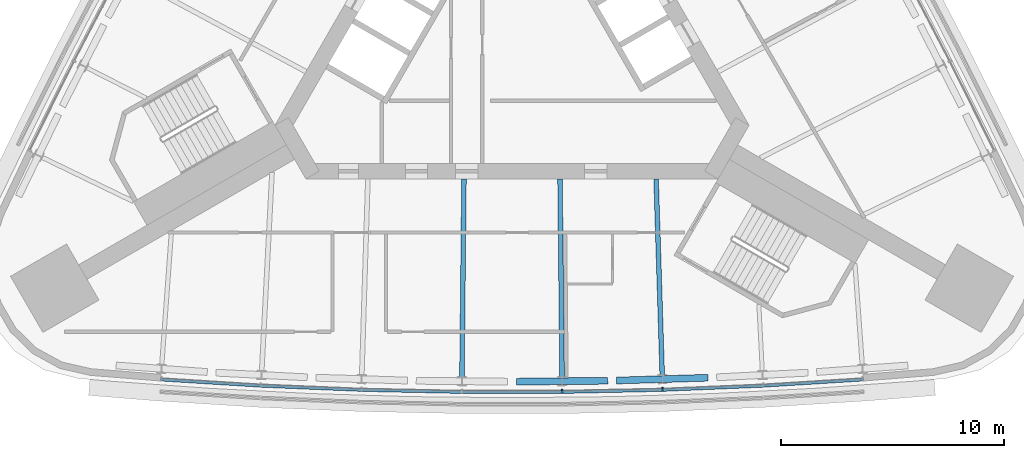
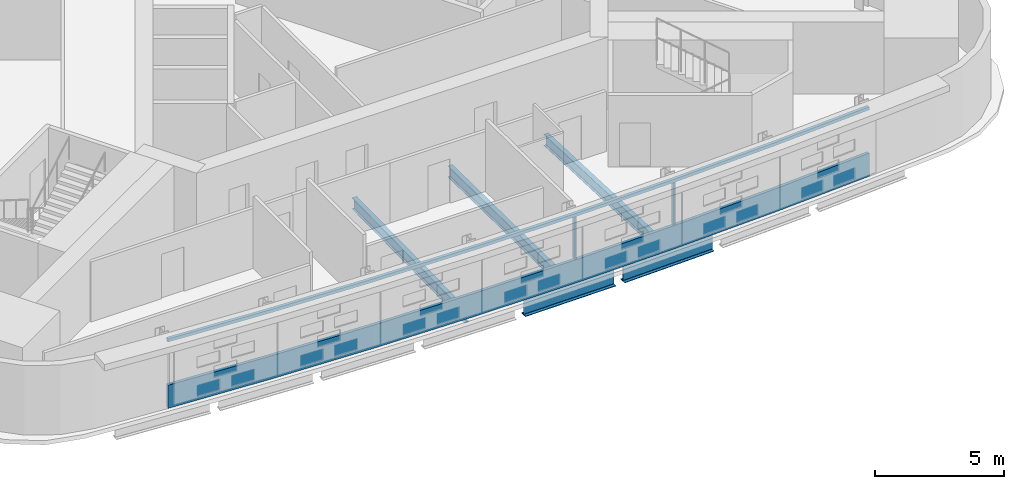
# One storey, part 3 of 12: 5 beams, 4 members, 1 element without a shape of its own.
"""IFC4 building model written with IfcOpenShell, lengths in metres."""

from ifc_helpers import new_model, si_unit, direction, frame, origin, origin_2d, place, context, subcontext, project, spatial, polyline, rectangle, i_section, outline, extrude, material, material_profile, profile_set, type_object, element, aggregate, save


model = new_model("IFC4")

# Units and contexts
model_context = context("Model", 3, precision=1e-05, world=origin(), true_north=direction((0.0, 1.0)))
body_context = subcontext(model_context, "Body", "Model", "MODEL_VIEW")
ifc_project = project(units=[si_unit("LENGTHUNIT", "METRE"), si_unit("AREAUNIT", "SQUARE_METRE"), si_unit("VOLUMEUNIT", "CUBIC_METRE"), si_unit("PLANEANGLEUNIT", "RADIAN"), si_unit("MASSUNIT", "GRAM", prefix="KILO")], contexts=[model_context])

# Site, building, storey
site_placement = place(None, origin())
site = spatial("IfcSite", under=ifc_project, at=site_placement, CompositionType="ELEMENT")
building_placement = place(site_placement, origin())
building = spatial("IfcBuilding", under=site, at=building_placement, Name="Noor Cloister Tower", CompositionType="ELEMENT")
storey_placement = place(building_placement, frame((0.0, 0.0, 150.89990234375)))
storey = spatial("IfcBuildingStorey", under=building, at=storey_placement, Name="L38", CompositionType="ELEMENT", Elevation=150.89990234375)

# Curtain wall, members
ifc_material_1 = material(Name="Aluminium 6063-T6 anodised", Category="aluminium")
curtain_wall_type = type_object("IfcCurtainWallType", Name="Ribbon curtain wall, upper tower CW5", PredefinedType="NOTDEFINED", material=ifc_material_1)
curtain_wall_placement = place(storey_placement, origin())
curtain_wall = element("IfcCurtainWall", 1, at=curtain_wall_placement, inside=storey, type_object=curtain_wall_type, Name="CW5 L38 S run 2", PredefinedType="NOTDEFINED")
ifc_material_2 = material(Name="Aluminium 6063-T6 anodised", Category="aluminium")
member_type_1 = type_object("IfcMemberType", Name="Head transom CW5 150", PredefinedType="USERDEFINED", material=ifc_material_2)
member_1_placement = place(storey_placement, frame((0.0, 0.0, 3.150146484375)))
member_1 = element("IfcMember", 2, at=member_1_placement, type_object=member_type_1, Name="CW5 head transom", ObjectType="TRANSOM", PredefinedType="USERDEFINED", context=body_context, shape_type="SweptSolid", body=[
    extrude(outline(polyline([(-15.736083984375, -15.97607421875), (-11.244873046875, -16.255615234375), (-6.7490234375, -16.442138671875), (-2.25, -16.535400390625), (2.25, -16.535400390625), (6.7490234375, -16.442138671875), (11.244873046875, -16.255615234375), (15.736083984375, -15.97607421875), (15.7275390625, -15.83642578125), (11.23779296875, -16.115966796875), (6.74462890625, -16.30224609375), (2.24853515625, -16.3955078125), (-2.24853515625, -16.3955078125), (-6.74462890625, -16.30224609375), (-11.23779296875, -16.115966796875), (-15.7275390625, -15.83642578125), (-15.736083984375, -15.97607421875)])), origin(), (0.0, 0.0, 1.0), 0.14990234375),
])
ifc_material_3 = material(Name="Aluminium 6063-T6 anodised", Category="aluminium")
ifc_material_profile_1 = material_profile(ifc_material_3, rectangle(XDim=0.179931640625, YDim=0.070068359375, at=origin_2d()), Name="180 x 70 mullion")
ifc_profile_set_1 = profile_set([ifc_material_profile_1], Name="Aluminium 6063-T6 anodised")
member_type_2 = type_object("IfcMemberType", Name="Mullion CW5 70 x 180", PredefinedType="MULLION", material=ifc_profile_set_1)
member_2_placement = place(storey_placement, frame((2.2490234375, -16.435546875, 1.10009765625), z_axis=(0.0, 0.0, 1.0), x_axis=(-0.010364172955, 0.999946290517, 0.0)))
member_2 = element("IfcMember", 3, at=member_2_placement, type_object=member_type_2, Name="CW5 mullion 5", PredefinedType="MULLION", context=body_context, shape_type="SweptSolid", body=[
    extrude(rectangle(XDim=0.179931640625, YDim=0.070068359375, at=origin_2d()), origin(), (0.0, 0.0, 1.0), 2.050048828125),
])
member_3_placement = place(storey_placement, frame((6.745849609375, -16.34228515625, 1.10009765625), z_axis=(0.0, 0.0, 1.0), x_axis=(-0.031088065749, 0.99951664927, 0.0)))
member_3 = element("IfcMember", 4, at=member_3_placement, type_object=member_type_2, Name="CW5 mullion 6", PredefinedType="MULLION", context=body_context, shape_type="SweptSolid", body=[
    extrude(rectangle(XDim=0.179931640625, YDim=0.070068359375, at=origin_2d()), origin(), (0.0, 0.0, 1.0), 2.050048828125),
])

# Beams
ifc_material_4 = material(Name="Steel ASTM A992 Gr 50", Category="steel")
ifc_material_profile_2 = material_profile(ifc_material_4, i_section(OverallWidth=0.208984375, OverallDepth=0.532958984375, WebThickness=0.01025390625, FlangeThickness=0.015625, FilletRadius=0.0126953125, at=origin_2d()), Name="W530x92")
ifc_profile_set_2 = profile_set([ifc_material_profile_2], Name="Steel ASTM A992 Gr 50")
beam_type_1 = type_object("IfcBeamType", Name="Radial beam W530x92", PredefinedType="BEAM", material=ifc_profile_set_2)
for number, where, z_axis, x_axis, name in (
    (5, (-2.24267578125, -15.8330078125, -0.46630859375), (0.010362990142, 0.999946302776, 0.0), (-0.999946302776, 0.010362990142, 0.0), "Radial beam S 04 L38"),
    (6, (2.24267578125, -15.8330078125, -0.46630859375), (-0.010362990142, 0.999946302776, 0.0), (-0.999946302776, -0.010362990142, 0.0), "Radial beam S 05 L38"),
):
    element("IfcBeam", number, at=place(storey_placement, frame(where, z_axis=z_axis, x_axis=x_axis)), inside=storey, type_object=beam_type_1, Name=name, PredefinedType="BEAM", context=body_context, shape_type="SweptSolid", body=[
        extrude(i_section(OverallWidth=0.208984375, OverallDepth=0.532958984375, WebThickness=0.01025390625, FlangeThickness=0.015625, FilletRadius=0.0126953125, at=origin_2d()), origin(), (0.0, 0.0, 1.0), 8.9052734375),
    ])
beam_1_placement = place(storey_placement, frame((6.72705078125, -15.739990234375, -0.46630859375), z_axis=(-0.031099016833, 0.999516308597, 0.0), x_axis=(-0.999516308597, -0.031099016833, 0.0)))
element("IfcBeam", 7, at=beam_1_placement, inside=storey, type_object=beam_type_1, Name="Radial beam S 06 L38", PredefinedType="BEAM", context=body_context, shape_type="SweptSolid", body=[
    extrude(i_section(OverallWidth=0.208984375, OverallDepth=0.532958984375, WebThickness=0.01025390625, FlangeThickness=0.015625, FilletRadius=0.0126953125, at=origin_2d()), origin(), (0.0, 0.0, 1.0), 8.81591796875),
])

# Member
ifc_material_5 = material(Name="Aluminium 6063-T6 anodised", Category="aluminium")
member_type_3 = type_object("IfcMemberType", Name="Sill transom CW5 1100", PredefinedType="USERDEFINED", material=ifc_material_5)
member_4_placement = place(storey_placement, origin())
member_4 = element("IfcMember", 8, at=member_4_placement, type_object=member_type_3, Name="CW5 sill transom", ObjectType="TRANSOM", PredefinedType="USERDEFINED", context=body_context, shape_type="SweptSolid", body=[
    extrude(outline(polyline([(-15.736083984375, -15.97607421875), (-11.244873046875, -16.255615234375), (-6.7490234375, -16.442138671875), (-2.25, -16.535400390625), (2.25, -16.535400390625), (6.7490234375, -16.442138671875), (11.244873046875, -16.255615234375), (15.736083984375, -15.97607421875), (15.7275390625, -15.83642578125), (11.23779296875, -16.115966796875), (6.74462890625, -16.30224609375), (2.24853515625, -16.3955078125), (-2.24853515625, -16.3955078125), (-6.74462890625, -16.30224609375), (-11.23779296875, -16.115966796875), (-15.7275390625, -15.83642578125), (-15.736083984375, -15.97607421875)])), origin(), (0.0, 0.0, 1.0), 1.10009765625),
])

aggregate(curtain_wall, [member_2, member_3, member_4, member_1])

# Beams
ifc_material_6 = material(Name="Steel ASTM A992 Gr 50", Category="steel")
ifc_material_profile_3 = material_profile(ifc_material_6, i_section(OverallWidth=0.304931640625, OverallDepth=0.9189453125, WebThickness=0.017333984375, FlangeThickness=0.02783203125, FilletRadius=0.01904296875, at=origin_2d()), Name="W920x253")
ifc_profile_set_3 = profile_set([ifc_material_profile_3], Name="Steel ASTM A992 Gr 50")
beam_type_2 = type_object("IfcBeamType", Name="Transfer girder W920x253", PredefinedType="BEAM", material=ifc_profile_set_3)
beam_2_placement = place(storey_placement, frame((0.19775390625, -16.006591796875, -0.659423828125), z_axis=(0.999947287807, 0.010267502448, 0.0), x_axis=(-0.010267502448, 0.999947287807, 0.0)))
element("IfcBeam", 9, at=beam_2_placement, inside=storey, type_object=beam_type_2, Name="Transfer girder S 05 L38", PredefinedType="BEAM", context=body_context, shape_type="SweptSolid", body=[
    extrude(i_section(OverallWidth=0.304931640625, OverallDepth=0.9189453125, WebThickness=0.017333984375, FlangeThickness=0.02783203125, FilletRadius=0.01904296875, at=origin_2d()), origin(), (0.0, 0.0, 1.0), 4.08984375),
])
beam_3_placement = place(storey_placement, frame((4.682861328125, -15.95556640625, -0.659423828125), z_axis=(0.999527273586, 0.030744582566, 0.0), x_axis=(-0.030744582566, 0.999527273586, 0.0)))
element("IfcBeam", 10, at=beam_3_placement, inside=storey, type_object=beam_type_2, Name="Transfer girder S 06 L38", PredefinedType="BEAM", context=body_context, shape_type="SweptSolid", body=[
    extrude(i_section(OverallWidth=0.304931640625, OverallDepth=0.9189453125, WebThickness=0.017333984375, FlangeThickness=0.02783203125, FilletRadius=0.01904296875, at=origin_2d()), origin(), (0.0, 0.0, 1.0), 4.089599609375),
])

save(model, "model.ifc")
